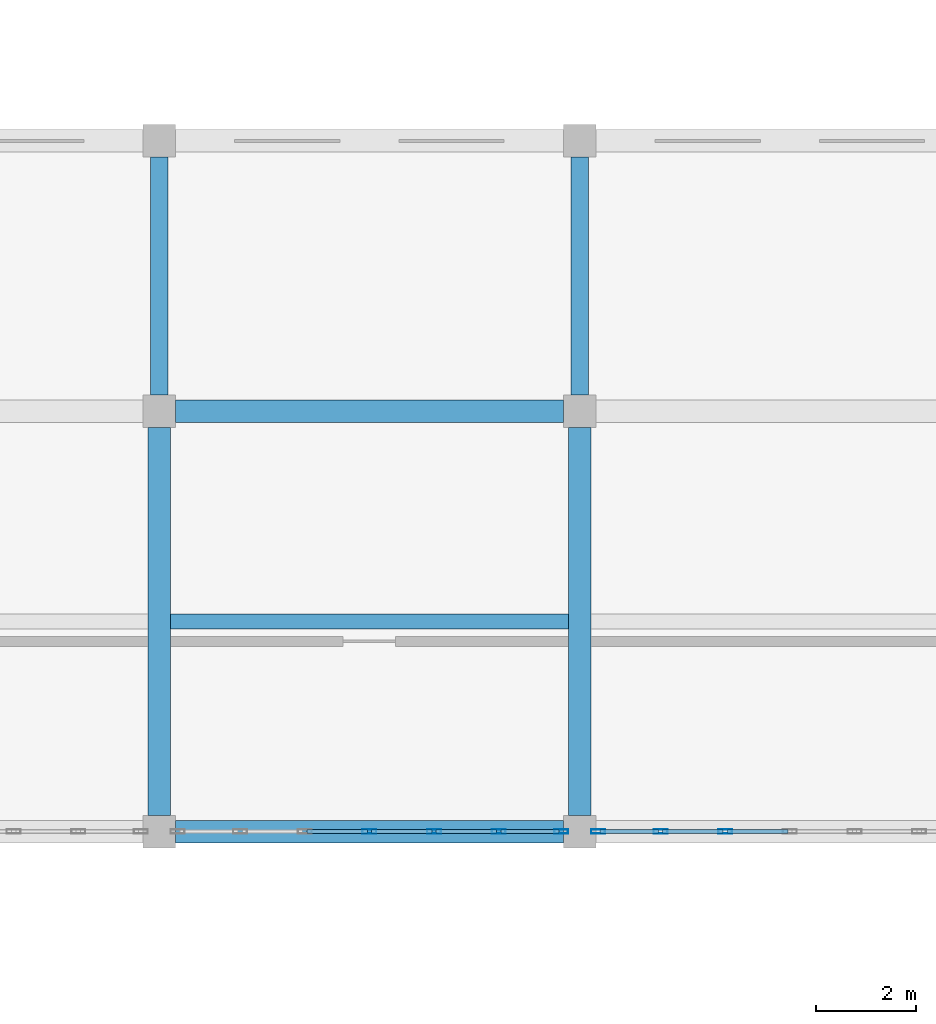
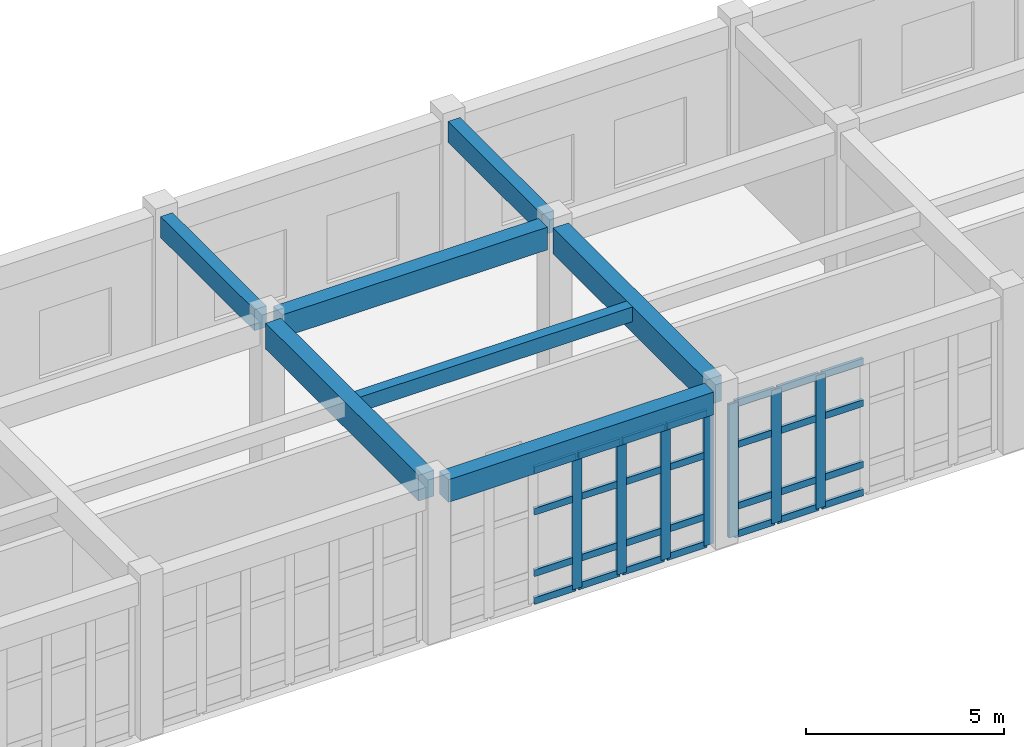
# One storey, part 37 of 80: 35 members, 7 beams, 2 elements without a shape of their own.
"""IFC4 building model written with IfcOpenShell, lengths in metres."""

from ifc_helpers import new_model, si_unit, direction, frame, origin, origin_2d, place, context, subcontext, project, spatial, rectangle, hollow_rectangle, extrude, material, layer, layer_set, material_profile, profile_set, type_object, element, aggregate, save


model = new_model("IFC4")

# Units and contexts
model_context = context("Model", 3, precision=1e-05, world=origin(), true_north=direction((0.0, 1.0)))
body_context = subcontext(model_context, "Body", "Model", "MODEL_VIEW")
ifc_project = project(units=[si_unit("LENGTHUNIT", "METRE"), si_unit("AREAUNIT", "SQUARE_METRE"), si_unit("VOLUMEUNIT", "CUBIC_METRE"), si_unit("PLANEANGLEUNIT", "RADIAN"), si_unit("MASSUNIT", "GRAM", prefix="KILO")], contexts=[model_context])

# Site, building, storey
site_placement = place(None, origin())
site = spatial("IfcSite", under=ifc_project, at=site_placement, CompositionType="ELEMENT")
building_placement = place(site_placement, origin())
building = spatial("IfcBuilding", under=site, at=building_placement, Name="Krzemoval Escarpment Law Courts", CompositionType="ELEMENT")
storey_placement = place(building_placement, origin())
storey = spatial("IfcBuildingStorey", under=building, at=storey_placement, Name="L00", CompositionType="ELEMENT", Elevation=0.0)

# Beams
ifc_material_1 = material(Name="Concrete C40/50", Category="concrete")
ifc_material_profile_1 = material_profile(ifc_material_1, rectangle(XDim=0.35009765625, YDim=0.64990234375, at=origin_2d()), Name="RCB 350x650")
ifc_profile_set_1 = profile_set([ifc_material_profile_1], Name="Concrete C40/50")
beam_type_1 = type_object("IfcBeamType", Name="BM-RC-350x650", PredefinedType="BEAM", material=ifc_profile_set_1)
for number, where, z_axis, x_axis, name in (
    (1, (84.0, 108.324951171875, 4.4951171875), (0.0, 1.0, 0.0), (-1.0, 0.0, 0.0), "Beam FG-L00-0923"),
    (2, (92.39990234375, 108.324951171875, 4.4951171875), (0.0, 1.0, 0.0), (-1.0, 0.0, 0.0), "Beam FG-L00-0929"),
):
    element("IfcBeam", number, at=place(storey_placement, frame(where, z_axis=z_axis, x_axis=x_axis)), inside=storey, type_object=beam_type_1, Name=name, PredefinedType="BEAM", context=body_context, shape_type="SweptSolid", body=[
        extrude(rectangle(XDim=0.35009765625, YDim=0.64990234375, at=origin_2d()), origin(), (0.0, 0.0, 1.0), 4.75),
    ])
ifc_material_2 = material(Name="Concrete C40/50", Category="concrete")
ifc_material_profile_2 = material_profile(ifc_material_2, rectangle(XDim=0.449951171875, YDim=0.699951171875, at=origin_2d()), Name="RCB 450x700")
ifc_profile_set_2 = profile_set([ifc_material_profile_2], Name="Concrete C40/50")
beam_type_2 = type_object("IfcBeamType", Name="BM-RC-450x700", PredefinedType="BEAM", material=ifc_profile_set_2)
for number, where, z_axis, x_axis, name in (
    (3, (84.324951171875, 99.60009765625, 4.469970703125), (1.0, 0.0, 0.0), (0.0, 1.0, 0.0), "Beam FG-L00-0751"),
    (4, (84.324951171875, 108.0, 4.469970703125), (1.0, 0.0, 0.0), (0.0, 1.0, 0.0), "Beam FG-L00-0770"),
):
    element("IfcBeam", number, at=place(storey_placement, frame(where, z_axis=z_axis, x_axis=x_axis)), inside=storey, type_object=beam_type_2, Name=name, PredefinedType="BEAM", context=body_context, shape_type="SweptSolid", body=[
        extrude(rectangle(XDim=0.449951171875, YDim=0.699951171875, at=origin_2d()), origin(), (0.0, 0.0, 1.0), 7.75),
    ])
ifc_material_3 = material(Name="Concrete C40/50", Category="concrete")
ifc_material_profile_3 = material_profile(ifc_material_3, rectangle(XDim=0.449951171875, YDim=0.800048828125, at=origin_2d()), Name="RCB 450x800")
ifc_profile_set_3 = profile_set([ifc_material_profile_3], Name="Concrete C40/50")
beam_type_3 = type_object("IfcBeamType", Name="BM-RC-450x800", PredefinedType="BEAM", material=ifc_profile_set_3)
for number, where, z_axis, x_axis, name in (
    (5, (84.0, 99.925048828125, 4.419921875), (0.0, 1.0, 0.0), (-1.0, 0.0, 0.0), "Beam FG-L00-0922"),
    (6, (92.39990234375, 99.925048828125, 4.419921875), (0.0, 1.0, 0.0), (-1.0, 0.0, 0.0), "Beam FG-L00-0928"),
):
    element("IfcBeam", number, at=place(storey_placement, frame(where, z_axis=z_axis, x_axis=x_axis)), inside=storey, type_object=beam_type_3, Name=name, PredefinedType="BEAM", context=body_context, shape_type="SweptSolid", body=[
        extrude(rectangle(XDim=0.449951171875, YDim=0.800048828125, at=origin_2d()), origin(), (0.0, 0.0, 1.0), 7.75),
    ])

# Curtain wall, members
ifc_material_4 = material(Name="Aluminium 6063-T6", Category="aluminium")
ifc_layer = layer(ifc_material_4, 0.280029296875)
ifc_layer_set = layer_set([ifc_layer], Name="Aluminium 6063-T6")
curtain_wall_type = type_object("IfcCurtainWallType", Name="CW-HALL-5100", PredefinedType="USERDEFINED", material=ifc_layer_set)
curtain_wall_1_placement = place(storey_placement, origin())
curtain_wall_1 = element("IfcCurtainWall", 7, at=curtain_wall_1_placement, inside=storey, type_object=curtain_wall_type, Name="Unitised Curtain Wall FCW-L00-008", ObjectType="UNITISED_CURTAIN_WALL", PredefinedType="USERDEFINED")
ifc_material_5 = material(Name="Aluminium 6063-T6", Category="aluminium")
ifc_material_profile_4 = material_profile(ifc_material_5, hollow_rectangle(XDim=0.0849609375, YDim=0.280029296875, WallThickness=0.005615234375, at=origin_2d()), Name="ALU M85x280")
ifc_profile_set_4 = profile_set([ifc_material_profile_4], Name="Aluminium 6063-T6")
member_type_1 = type_object("IfcMemberType", Name="CWM-85x280", PredefinedType="MULLION", material=ifc_profile_set_4)
member_1_placement = place(storey_placement, frame((95.308349609375, 99.60009765625, 0.0), z_axis=(0.0, 0.0, 1.0), x_axis=(0.0, -1.0, 0.0)))
member_1 = element("IfcMember", 8, at=member_1_placement, type_object=member_type_1, Name="FCW-L00-008 mullion 5", PredefinedType="MULLION", context=body_context, shape_type="SweptSolid", body=[
    extrude(hollow_rectangle(XDim=0.0849609375, YDim=0.280029296875, WallThickness=0.005615234375, at=origin_2d()), origin(), (0.0, 0.0, 1.0), 4.1201171875),
])
member_2_placement = place(storey_placement, frame((94.0166015625, 99.60009765625, 0.0), z_axis=(0.0, 0.0, 1.0), x_axis=(0.0, -1.0, 0.0)))
member_2 = element("IfcMember", 9, at=member_2_placement, type_object=member_type_1, Name="FCW-L00-008 mullion 6", PredefinedType="MULLION", context=body_context, shape_type="SweptSolid", body=[
    extrude(hollow_rectangle(XDim=0.0849609375, YDim=0.280029296875, WallThickness=0.005615234375, at=origin_2d()), origin(), (0.0, 0.0, 1.0), 4.1201171875),
])
member_3_placement = place(storey_placement, frame((92.767578125, 99.60009765625, 0.0), z_axis=(0.0, 0.0, 1.0), x_axis=(0.0, -1.0, 0.0)))
member_3 = element("IfcMember", 10, at=member_3_placement, type_object=member_type_1, Name="FCW-L00-008 mullion 7", PredefinedType="MULLION", context=body_context, shape_type="SweptSolid", body=[
    extrude(hollow_rectangle(XDim=0.0849609375, YDim=0.280029296875, WallThickness=0.005615234375, at=origin_2d()), origin(), (0.0, 0.0, 1.0), 4.1201171875),
])

curtain_wall_2_placement = place(storey_placement, origin())
curtain_wall_2 = element("IfcCurtainWall", 11, at=curtain_wall_2_placement, inside=storey, type_object=curtain_wall_type, Name="Unitised Curtain Wall FCW-L00-009", ObjectType="UNITISED_CURTAIN_WALL", PredefinedType="USERDEFINED")
member_4_placement = place(storey_placement, frame((92.032470703125, 99.60009765625, 0.0), z_axis=(0.0, 0.0, 1.0), x_axis=(0.0, -1.0, 0.0)))
member_4 = element("IfcMember", 12, at=member_4_placement, type_object=member_type_1, Name="FCW-L00-009 mullion 1", PredefinedType="MULLION", context=body_context, shape_type="SweptSolid", body=[
    extrude(hollow_rectangle(XDim=0.0849609375, YDim=0.280029296875, WallThickness=0.005615234375, at=origin_2d()), origin(), (0.0, 0.0, 1.0), 4.1201171875),
])
member_5_placement = place(storey_placement, frame((90.783447265625, 99.60009765625, 0.0), z_axis=(0.0, 0.0, 1.0), x_axis=(0.0, -1.0, 0.0)))
member_5 = element("IfcMember", 13, at=member_5_placement, type_object=member_type_1, Name="FCW-L00-009 mullion 2", PredefinedType="MULLION", context=body_context, shape_type="SweptSolid", body=[
    extrude(hollow_rectangle(XDim=0.0849609375, YDim=0.280029296875, WallThickness=0.005615234375, at=origin_2d()), origin(), (0.0, 0.0, 1.0), 4.1201171875),
])
member_6_placement = place(storey_placement, frame((89.49169921875, 99.60009765625, 0.0), z_axis=(0.0, 0.0, 1.0), x_axis=(0.0, -1.0, 0.0)))
member_6 = element("IfcMember", 14, at=member_6_placement, type_object=member_type_1, Name="FCW-L00-009 mullion 3", PredefinedType="MULLION", context=body_context, shape_type="SweptSolid", body=[
    extrude(hollow_rectangle(XDim=0.0849609375, YDim=0.280029296875, WallThickness=0.005615234375, at=origin_2d()), origin(), (0.0, 0.0, 1.0), 4.1201171875),
])
member_7_placement = place(storey_placement, frame((88.199951171875, 99.60009765625, 0.0), z_axis=(0.0, 0.0, 1.0), x_axis=(0.0, -1.0, 0.0)))
member_7 = element("IfcMember", 15, at=member_7_placement, type_object=member_type_1, Name="FCW-L00-009 mullion 4", PredefinedType="MULLION", context=body_context, shape_type="SweptSolid", body=[
    extrude(hollow_rectangle(XDim=0.0849609375, YDim=0.280029296875, WallThickness=0.005615234375, at=origin_2d()), origin(), (0.0, 0.0, 1.0), 4.1201171875),
])

# Member
ifc_material_6 = material(Name="Aluminium 6063-T6", Category="aluminium")
ifc_material_profile_5 = material_profile(ifc_material_6, hollow_rectangle(XDim=0.0849609375, YDim=0.2099609375, WallThickness=0.005615234375, at=origin_2d()), Name="ALU T85x210")
ifc_profile_set_5 = profile_set([ifc_material_profile_5], Name="Aluminium 6063-T6")
member_type_2 = type_object("IfcMemberType", Name="CWT-85x210", PredefinedType="USERDEFINED", material=ifc_profile_set_5)
member_8_placement = place(storey_placement, frame((96.5576171875, 99.60009765625, 0.04248046875), z_axis=(-1.0, 0.0, 0.0), x_axis=(0.0, -1.0, 0.0)))
member_8 = element("IfcMember", 16, at=member_8_placement, type_object=member_type_2, Name="FCW-L00-008 transom 4.1", ObjectType="TRANSOM", PredefinedType="USERDEFINED", context=body_context, shape_type="SweptSolid", body=[
    extrude(hollow_rectangle(XDim=0.0849609375, YDim=0.2099609375, WallThickness=0.005615234375, at=origin_2d()), origin(), (0.0, 0.0, 1.0), 1.206787109375),
])

member_9_placement = place(storey_placement, frame((96.5576171875, 99.60009765625, 0.89990234375), z_axis=(-1.0, 0.0, 0.0), x_axis=(0.0, -1.0, 0.0)))
member_9 = element("IfcMember", 17, at=member_9_placement, type_object=member_type_2, Name="FCW-L00-008 transom 4.2", ObjectType="TRANSOM", PredefinedType="USERDEFINED", context=body_context, shape_type="SweptSolid", body=[
    extrude(hollow_rectangle(XDim=0.0849609375, YDim=0.2099609375, WallThickness=0.005615234375, at=origin_2d()), origin(), (0.0, 0.0, 1.0), 1.206787109375),
])

member_10_placement = place(storey_placement, frame((96.5576171875, 99.60009765625, 2.800048828125), z_axis=(-1.0, 0.0, 0.0), x_axis=(0.0, -1.0, 0.0)))
member_10 = element("IfcMember", 18, at=member_10_placement, type_object=member_type_2, Name="FCW-L00-008 transom 4.3", ObjectType="TRANSOM", PredefinedType="USERDEFINED", context=body_context, shape_type="SweptSolid", body=[
    extrude(hollow_rectangle(XDim=0.0849609375, YDim=0.2099609375, WallThickness=0.005615234375, at=origin_2d()), origin(), (0.0, 0.0, 1.0), 1.206787109375),
])

member_11_placement = place(storey_placement, frame((96.5576171875, 99.60009765625, 4.077392578125), z_axis=(-1.0, 0.0, 0.0), x_axis=(0.0, -1.0, 0.0)))
member_11 = element("IfcMember", 19, at=member_11_placement, type_object=member_type_2, Name="FCW-L00-008 transom 4.4", ObjectType="TRANSOM", PredefinedType="USERDEFINED", context=body_context, shape_type="SweptSolid", body=[
    extrude(hollow_rectangle(XDim=0.0849609375, YDim=0.2099609375, WallThickness=0.005615234375, at=origin_2d()), origin(), (0.0, 0.0, 1.0), 1.206787109375),
])

member_12_placement = place(storey_placement, frame((95.265869140625, 99.60009765625, 0.04248046875), z_axis=(-1.0, 0.0, 0.0), x_axis=(0.0, -1.0, 0.0)))
member_12 = element("IfcMember", 20, at=member_12_placement, type_object=member_type_2, Name="FCW-L00-008 transom 5.1", ObjectType="TRANSOM", PredefinedType="USERDEFINED", context=body_context, shape_type="SweptSolid", body=[
    extrude(hollow_rectangle(XDim=0.0849609375, YDim=0.2099609375, WallThickness=0.005615234375, at=origin_2d()), origin(), (0.0, 0.0, 1.0), 1.206787109375),
])

member_13_placement = place(storey_placement, frame((95.265869140625, 99.60009765625, 0.89990234375), z_axis=(-1.0, 0.0, 0.0), x_axis=(0.0, -1.0, 0.0)))
member_13 = element("IfcMember", 21, at=member_13_placement, type_object=member_type_2, Name="FCW-L00-008 transom 5.2", ObjectType="TRANSOM", PredefinedType="USERDEFINED", context=body_context, shape_type="SweptSolid", body=[
    extrude(hollow_rectangle(XDim=0.0849609375, YDim=0.2099609375, WallThickness=0.005615234375, at=origin_2d()), origin(), (0.0, 0.0, 1.0), 1.206787109375),
])

member_14_placement = place(storey_placement, frame((95.265869140625, 99.60009765625, 2.800048828125), z_axis=(-1.0, 0.0, 0.0), x_axis=(0.0, -1.0, 0.0)))
member_14 = element("IfcMember", 22, at=member_14_placement, type_object=member_type_2, Name="FCW-L00-008 transom 5.3", ObjectType="TRANSOM", PredefinedType="USERDEFINED", context=body_context, shape_type="SweptSolid", body=[
    extrude(hollow_rectangle(XDim=0.0849609375, YDim=0.2099609375, WallThickness=0.005615234375, at=origin_2d()), origin(), (0.0, 0.0, 1.0), 1.206787109375),
])

member_15_placement = place(storey_placement, frame((95.265869140625, 99.60009765625, 4.077392578125), z_axis=(-1.0, 0.0, 0.0), x_axis=(0.0, -1.0, 0.0)))
member_15 = element("IfcMember", 23, at=member_15_placement, type_object=member_type_2, Name="FCW-L00-008 transom 5.4", ObjectType="TRANSOM", PredefinedType="USERDEFINED", context=body_context, shape_type="SweptSolid", body=[
    extrude(hollow_rectangle(XDim=0.0849609375, YDim=0.2099609375, WallThickness=0.005615234375, at=origin_2d()), origin(), (0.0, 0.0, 1.0), 1.206787109375),
])

member_16_placement = place(storey_placement, frame((93.97412109375, 99.60009765625, 0.04248046875), z_axis=(-1.0, 0.0, 0.0), x_axis=(0.0, -1.0, 0.0)))
member_16 = element("IfcMember", 24, at=member_16_placement, type_object=member_type_2, Name="FCW-L00-008 transom 6.1", ObjectType="TRANSOM", PredefinedType="USERDEFINED", context=body_context, shape_type="SweptSolid", body=[
    extrude(hollow_rectangle(XDim=0.0849609375, YDim=0.2099609375, WallThickness=0.005615234375, at=origin_2d()), origin(), (0.0, 0.0, 1.0), 1.1640625),
])

member_17_placement = place(storey_placement, frame((93.97412109375, 99.60009765625, 0.89990234375), z_axis=(-1.0, 0.0, 0.0), x_axis=(0.0, -1.0, 0.0)))
member_17 = element("IfcMember", 25, at=member_17_placement, type_object=member_type_2, Name="FCW-L00-008 transom 6.2", ObjectType="TRANSOM", PredefinedType="USERDEFINED", context=body_context, shape_type="SweptSolid", body=[
    extrude(hollow_rectangle(XDim=0.0849609375, YDim=0.2099609375, WallThickness=0.005615234375, at=origin_2d()), origin(), (0.0, 0.0, 1.0), 1.1640625),
])

member_18_placement = place(storey_placement, frame((93.97412109375, 99.60009765625, 2.800048828125), z_axis=(-1.0, 0.0, 0.0), x_axis=(0.0, -1.0, 0.0)))
member_18 = element("IfcMember", 26, at=member_18_placement, type_object=member_type_2, Name="FCW-L00-008 transom 6.3", ObjectType="TRANSOM", PredefinedType="USERDEFINED", context=body_context, shape_type="SweptSolid", body=[
    extrude(hollow_rectangle(XDim=0.0849609375, YDim=0.2099609375, WallThickness=0.005615234375, at=origin_2d()), origin(), (0.0, 0.0, 1.0), 1.1640625),
])

member_19_placement = place(storey_placement, frame((93.97412109375, 99.60009765625, 4.077392578125), z_axis=(-1.0, 0.0, 0.0), x_axis=(0.0, -1.0, 0.0)))
member_19 = element("IfcMember", 27, at=member_19_placement, type_object=member_type_2, Name="FCW-L00-008 transom 6.4", ObjectType="TRANSOM", PredefinedType="USERDEFINED", context=body_context, shape_type="SweptSolid", body=[
    extrude(hollow_rectangle(XDim=0.0849609375, YDim=0.2099609375, WallThickness=0.005615234375, at=origin_2d()), origin(), (0.0, 0.0, 1.0), 1.1640625),
])

aggregate(curtain_wall_1, [member_1, member_2, member_3, member_8, member_9, member_10, member_11, member_12, member_13, member_14, member_15, member_16, member_17, member_18, member_19])

member_20_placement = place(storey_placement, frame((91.989990234375, 99.60009765625, 0.04248046875), z_axis=(-1.0, 0.0, 0.0), x_axis=(0.0, -1.0, 0.0)))
member_20 = element("IfcMember", 28, at=member_20_placement, type_object=member_type_2, Name="FCW-L00-009 transom 1.1", ObjectType="TRANSOM", PredefinedType="USERDEFINED", context=body_context, shape_type="SweptSolid", body=[
    extrude(hollow_rectangle(XDim=0.0849609375, YDim=0.2099609375, WallThickness=0.005615234375, at=origin_2d()), origin(), (0.0, 0.0, 1.0), 1.1640625),
])

member_21_placement = place(storey_placement, frame((91.989990234375, 99.60009765625, 0.89990234375), z_axis=(-1.0, 0.0, 0.0), x_axis=(0.0, -1.0, 0.0)))
member_21 = element("IfcMember", 29, at=member_21_placement, type_object=member_type_2, Name="FCW-L00-009 transom 1.2", ObjectType="TRANSOM", PredefinedType="USERDEFINED", context=body_context, shape_type="SweptSolid", body=[
    extrude(hollow_rectangle(XDim=0.0849609375, YDim=0.2099609375, WallThickness=0.005615234375, at=origin_2d()), origin(), (0.0, 0.0, 1.0), 1.1640625),
])

member_22_placement = place(storey_placement, frame((91.989990234375, 99.60009765625, 2.800048828125), z_axis=(-1.0, 0.0, 0.0), x_axis=(0.0, -1.0, 0.0)))
member_22 = element("IfcMember", 30, at=member_22_placement, type_object=member_type_2, Name="FCW-L00-009 transom 1.3", ObjectType="TRANSOM", PredefinedType="USERDEFINED", context=body_context, shape_type="SweptSolid", body=[
    extrude(hollow_rectangle(XDim=0.0849609375, YDim=0.2099609375, WallThickness=0.005615234375, at=origin_2d()), origin(), (0.0, 0.0, 1.0), 1.1640625),
])

member_23_placement = place(storey_placement, frame((91.989990234375, 99.60009765625, 4.077392578125), z_axis=(-1.0, 0.0, 0.0), x_axis=(0.0, -1.0, 0.0)))
member_23 = element("IfcMember", 31, at=member_23_placement, type_object=member_type_2, Name="FCW-L00-009 transom 1.4", ObjectType="TRANSOM", PredefinedType="USERDEFINED", context=body_context, shape_type="SweptSolid", body=[
    extrude(hollow_rectangle(XDim=0.0849609375, YDim=0.2099609375, WallThickness=0.005615234375, at=origin_2d()), origin(), (0.0, 0.0, 1.0), 1.1640625),
])

member_24_placement = place(storey_placement, frame((90.74072265625, 99.60009765625, 0.04248046875), z_axis=(-1.0, 0.0, 0.0), x_axis=(0.0, -1.0, 0.0)))
member_24 = element("IfcMember", 32, at=member_24_placement, type_object=member_type_2, Name="FCW-L00-009 transom 2.1", ObjectType="TRANSOM", PredefinedType="USERDEFINED", context=body_context, shape_type="SweptSolid", body=[
    extrude(hollow_rectangle(XDim=0.0849609375, YDim=0.2099609375, WallThickness=0.005615234375, at=origin_2d()), origin(), (0.0, 0.0, 1.0), 1.20654296875),
])

member_25_placement = place(storey_placement, frame((90.74072265625, 99.60009765625, 0.89990234375), z_axis=(-1.0, 0.0, 0.0), x_axis=(0.0, -1.0, 0.0)))
member_25 = element("IfcMember", 33, at=member_25_placement, type_object=member_type_2, Name="FCW-L00-009 transom 2.2", ObjectType="TRANSOM", PredefinedType="USERDEFINED", context=body_context, shape_type="SweptSolid", body=[
    extrude(hollow_rectangle(XDim=0.0849609375, YDim=0.2099609375, WallThickness=0.005615234375, at=origin_2d()), origin(), (0.0, 0.0, 1.0), 1.20654296875),
])

member_26_placement = place(storey_placement, frame((90.74072265625, 99.60009765625, 2.800048828125), z_axis=(-1.0, 0.0, 0.0), x_axis=(0.0, -1.0, 0.0)))
member_26 = element("IfcMember", 34, at=member_26_placement, type_object=member_type_2, Name="FCW-L00-009 transom 2.3", ObjectType="TRANSOM", PredefinedType="USERDEFINED", context=body_context, shape_type="SweptSolid", body=[
    extrude(hollow_rectangle(XDim=0.0849609375, YDim=0.2099609375, WallThickness=0.005615234375, at=origin_2d()), origin(), (0.0, 0.0, 1.0), 1.20654296875),
])

member_27_placement = place(storey_placement, frame((90.74072265625, 99.60009765625, 4.077392578125), z_axis=(-1.0, 0.0, 0.0), x_axis=(0.0, -1.0, 0.0)))
member_27 = element("IfcMember", 35, at=member_27_placement, type_object=member_type_2, Name="FCW-L00-009 transom 2.4", ObjectType="TRANSOM", PredefinedType="USERDEFINED", context=body_context, shape_type="SweptSolid", body=[
    extrude(hollow_rectangle(XDim=0.0849609375, YDim=0.2099609375, WallThickness=0.005615234375, at=origin_2d()), origin(), (0.0, 0.0, 1.0), 1.20654296875),
])

member_28_placement = place(storey_placement, frame((89.44921875, 99.60009765625, 0.04248046875), z_axis=(-1.0, 0.0, 0.0), x_axis=(0.0, -1.0, 0.0)))
member_28 = element("IfcMember", 36, at=member_28_placement, type_object=member_type_2, Name="FCW-L00-009 transom 3.1", ObjectType="TRANSOM", PredefinedType="USERDEFINED", context=body_context, shape_type="SweptSolid", body=[
    extrude(hollow_rectangle(XDim=0.0849609375, YDim=0.2099609375, WallThickness=0.005615234375, at=origin_2d()), origin(), (0.0, 0.0, 1.0), 1.206787109375),
])

member_29_placement = place(storey_placement, frame((89.44921875, 99.60009765625, 0.89990234375), z_axis=(-1.0, 0.0, 0.0), x_axis=(0.0, -1.0, 0.0)))
member_29 = element("IfcMember", 37, at=member_29_placement, type_object=member_type_2, Name="FCW-L00-009 transom 3.2", ObjectType="TRANSOM", PredefinedType="USERDEFINED", context=body_context, shape_type="SweptSolid", body=[
    extrude(hollow_rectangle(XDim=0.0849609375, YDim=0.2099609375, WallThickness=0.005615234375, at=origin_2d()), origin(), (0.0, 0.0, 1.0), 1.206787109375),
])

member_30_placement = place(storey_placement, frame((89.44921875, 99.60009765625, 2.800048828125), z_axis=(-1.0, 0.0, 0.0), x_axis=(0.0, -1.0, 0.0)))
member_30 = element("IfcMember", 38, at=member_30_placement, type_object=member_type_2, Name="FCW-L00-009 transom 3.3", ObjectType="TRANSOM", PredefinedType="USERDEFINED", context=body_context, shape_type="SweptSolid", body=[
    extrude(hollow_rectangle(XDim=0.0849609375, YDim=0.2099609375, WallThickness=0.005615234375, at=origin_2d()), origin(), (0.0, 0.0, 1.0), 1.206787109375),
])

member_31_placement = place(storey_placement, frame((89.44921875, 99.60009765625, 4.077392578125), z_axis=(-1.0, 0.0, 0.0), x_axis=(0.0, -1.0, 0.0)))
member_31 = element("IfcMember", 39, at=member_31_placement, type_object=member_type_2, Name="FCW-L00-009 transom 3.4", ObjectType="TRANSOM", PredefinedType="USERDEFINED", context=body_context, shape_type="SweptSolid", body=[
    extrude(hollow_rectangle(XDim=0.0849609375, YDim=0.2099609375, WallThickness=0.005615234375, at=origin_2d()), origin(), (0.0, 0.0, 1.0), 1.206787109375),
])

member_32_placement = place(storey_placement, frame((88.157470703125, 99.60009765625, 0.04248046875), z_axis=(-1.0, 0.0, 0.0), x_axis=(0.0, -1.0, 0.0)))
member_32 = element("IfcMember", 40, at=member_32_placement, type_object=member_type_2, Name="FCW-L00-009 transom 4.1", ObjectType="TRANSOM", PredefinedType="USERDEFINED", context=body_context, shape_type="SweptSolid", body=[
    extrude(hollow_rectangle(XDim=0.0849609375, YDim=0.2099609375, WallThickness=0.005615234375, at=origin_2d()), origin(), (0.0, 0.0, 1.0), 1.20654296875),
])

member_33_placement = place(storey_placement, frame((88.157470703125, 99.60009765625, 0.89990234375), z_axis=(-1.0, 0.0, 0.0), x_axis=(0.0, -1.0, 0.0)))
member_33 = element("IfcMember", 41, at=member_33_placement, type_object=member_type_2, Name="FCW-L00-009 transom 4.2", ObjectType="TRANSOM", PredefinedType="USERDEFINED", context=body_context, shape_type="SweptSolid", body=[
    extrude(hollow_rectangle(XDim=0.0849609375, YDim=0.2099609375, WallThickness=0.005615234375, at=origin_2d()), origin(), (0.0, 0.0, 1.0), 1.20654296875),
])

member_34_placement = place(storey_placement, frame((88.157470703125, 99.60009765625, 2.800048828125), z_axis=(-1.0, 0.0, 0.0), x_axis=(0.0, -1.0, 0.0)))
member_34 = element("IfcMember", 42, at=member_34_placement, type_object=member_type_2, Name="FCW-L00-009 transom 4.3", ObjectType="TRANSOM", PredefinedType="USERDEFINED", context=body_context, shape_type="SweptSolid", body=[
    extrude(hollow_rectangle(XDim=0.0849609375, YDim=0.2099609375, WallThickness=0.005615234375, at=origin_2d()), origin(), (0.0, 0.0, 1.0), 1.20654296875),
])

member_35_placement = place(storey_placement, frame((88.157470703125, 99.60009765625, 4.077392578125), z_axis=(-1.0, 0.0, 0.0), x_axis=(0.0, -1.0, 0.0)))
member_35 = element("IfcMember", 43, at=member_35_placement, type_object=member_type_2, Name="FCW-L00-009 transom 4.4", ObjectType="TRANSOM", PredefinedType="USERDEFINED", context=body_context, shape_type="SweptSolid", body=[
    extrude(hollow_rectangle(XDim=0.0849609375, YDim=0.2099609375, WallThickness=0.005615234375, at=origin_2d()), origin(), (0.0, 0.0, 1.0), 1.20654296875),
])

aggregate(curtain_wall_2, [member_4, member_5, member_6, member_7, member_20, member_21, member_22, member_23, member_24, member_25, member_26, member_27, member_28, member_29, member_30, member_31, member_32, member_33, member_34, member_35])

# Beam
ifc_material_7 = material(Name="Concrete C40/50", Category="concrete")
ifc_material_profile_6 = material_profile(ifc_material_7, rectangle(XDim=0.300048828125, YDim=0.449951171875, at=origin_2d()), Name="RCB 300x450")
ifc_profile_set_6 = profile_set([ifc_material_profile_6], Name="Concrete C40/50")
beam_type_4 = type_object("IfcBeamType", Name="JST-RC-300x450", PredefinedType="JOIST", material=ifc_profile_set_6)
beam_placement = place(storey_placement, frame((84.22509765625, 103.800048828125, 4.594970703125), z_axis=(1.0, 0.0, 0.0), x_axis=(0.0, 1.0, 0.0)))
element("IfcBeam", 44, at=beam_placement, inside=storey, type_object=beam_type_4, Name="Secondary Joist FJ-L00-1102", PredefinedType="JOIST", context=body_context, shape_type="SweptSolid", body=[
    extrude(rectangle(XDim=0.300048828125, YDim=0.449951171875, at=origin_2d()), origin(), (0.0, 0.0, 1.0), 7.949951171875),
])

save(model, "model.ifc")
